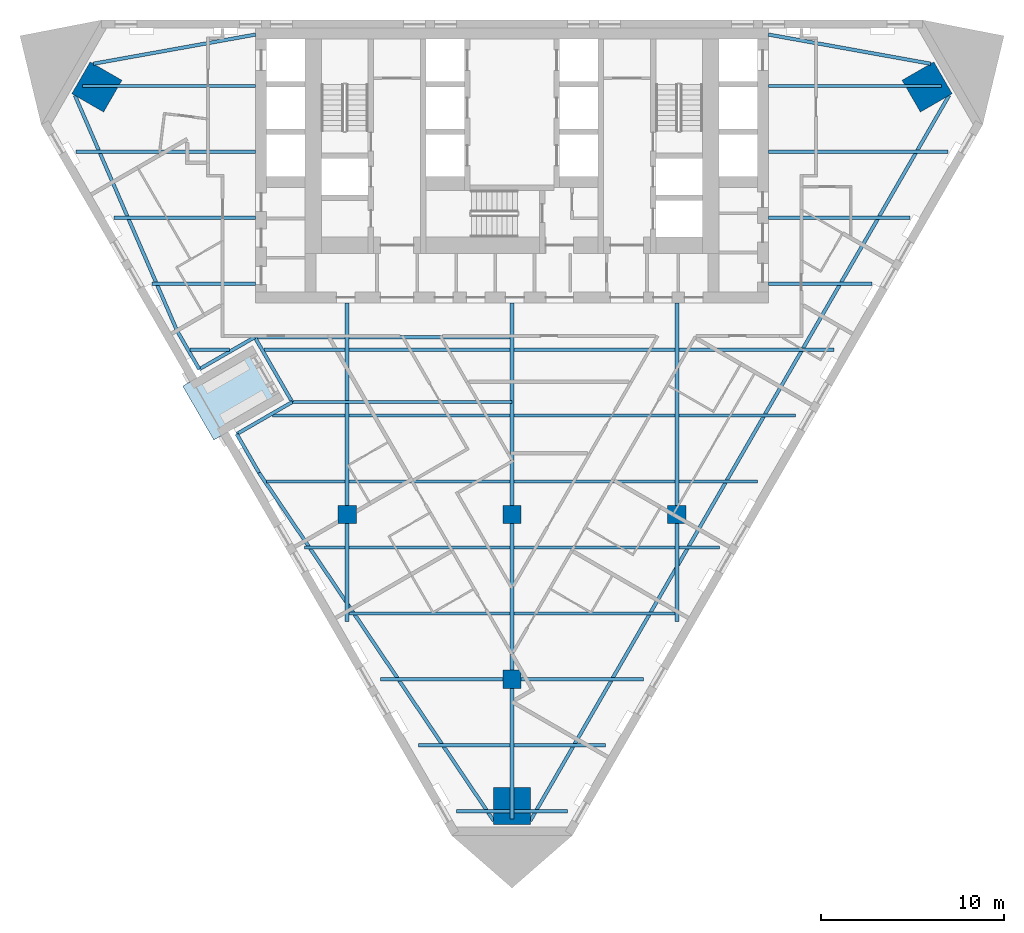
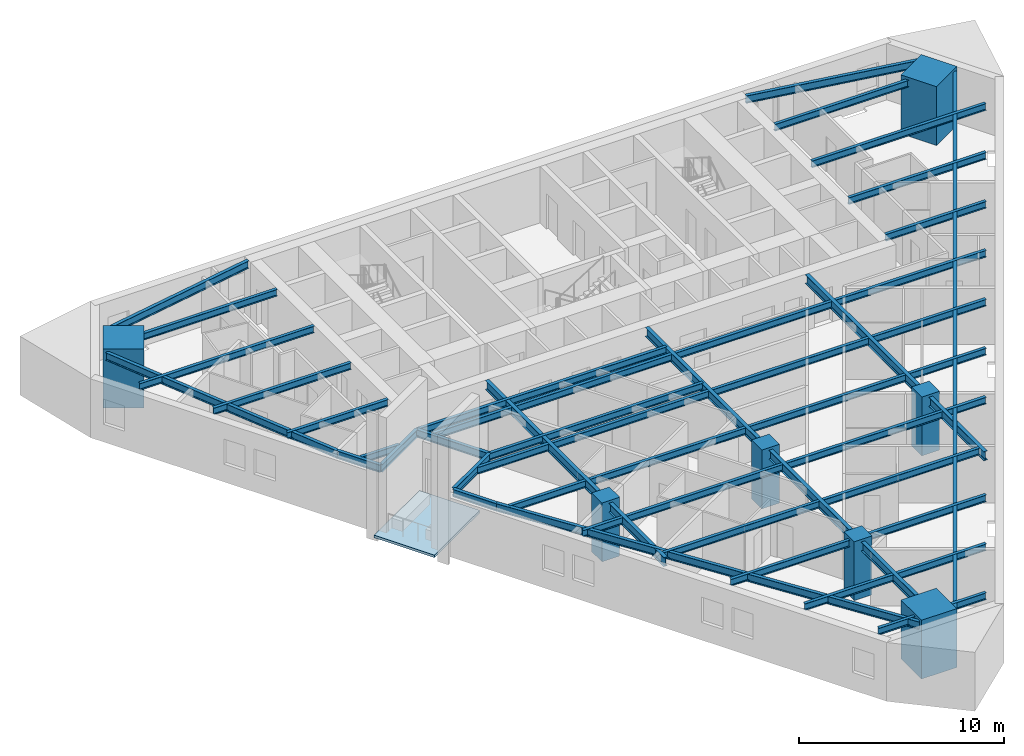
# One storey, part 1 of 9: 52 beams, 7 columns, 1 slab.
"""IFC4 building model written with IfcOpenShell, lengths in metres."""

from ifc_helpers import new_model, si_unit, direction, frame, origin, origin_2d, place, context, subcontext, project, spatial, polyline, rectangle, i_section, outline, extrude, material, layer, layer_set, material_profile, profile_set, type_object, element, save


model = new_model("IFC4")

# Units and contexts
model_context = context("Model", 3, precision=1e-05, world=origin(), true_north=direction((0.0, 1.0)))
body_context = subcontext(model_context, "Body", "Model", "MODEL_VIEW")
ifc_project = project(units=[si_unit("LENGTHUNIT", "METRE"), si_unit("AREAUNIT", "SQUARE_METRE"), si_unit("VOLUMEUNIT", "CUBIC_METRE"), si_unit("PLANEANGLEUNIT", "RADIAN"), si_unit("MASSUNIT", "GRAM", prefix="KILO")], contexts=[model_context])

# Site, building, storey
site_placement = place(None, origin())
site = spatial("IfcSite", under=ifc_project, at=site_placement, CompositionType="ELEMENT")
building_placement = place(site_placement, origin())
building = spatial("IfcBuilding", under=site, at=building_placement, Name="Aloe Facet Convention Tower", CompositionType="ELEMENT")
storey_placement = place(building_placement, frame((0.0, 0.0, 52.5)))
storey = spatial("IfcBuildingStorey", under=building, at=storey_placement, Name="L11", CompositionType="ELEMENT", Elevation=52.5)

# Columns
ifc_material_1 = material(Name="Concrete C70/85", Category="concrete")
ifc_material_profile_1 = material_profile(ifc_material_1, rectangle(XDim=1.0, YDim=1.0, at=origin_2d()), Name="SF-GC-Z1")
ifc_profile_set_1 = profile_set([ifc_material_profile_1], Name="Concrete C70/85")
column_type_1 = type_object("IfcColumnType", Name="SF-GC-Z1", PredefinedType="COLUMN", material=ifc_profile_set_1)
for number, where, z_axis, x_axis, name in (
    (1, (71.0, 108.0, 0.0), (0.0, 0.0, 1.0), (1.0, 0.0, 0.0), "Gravity column GC-Z1-8D"),
    (2, (80.0, 99.0, 0.0), (0.0, 0.0, 1.0), (1.0, 0.0, 0.0), "Gravity column GC-Z1-9E"),
    (3, (80.0, 108.0, 0.0), (0.0, 0.0, 1.0), (1.0, 0.0, 0.0), "Gravity column GC-Z1-9D"),
    (4, (89.0, 108.0, 0.0), (0.0, 0.0, 1.0), (1.0, 0.0, 0.0), "Gravity column GC-Z1-10D"),
):
    element("IfcColumn", number, at=place(storey_placement, frame(where, z_axis=z_axis, x_axis=x_axis)), inside=storey, type_object=column_type_1, Name=name, PredefinedType="COLUMN", context=body_context, shape_type="SweptSolid", body=[
        extrude(rectangle(XDim=1.0, YDim=1.0, at=origin_2d()), origin(), (0.0, 0.0, 1.0), 3.5),
    ])
ifc_material_2 = material(Name="Concrete C80/95", Category="concrete")
ifc_material_profile_2 = material_profile(ifc_material_2, rectangle(XDim=2.0, YDim=2.0, at=origin_2d()), Name="STW-MC-Z1")
ifc_profile_set_2 = profile_set([ifc_material_profile_2], Name="Concrete C80/95")
column_type_2 = type_object("IfcColumnType", Name="STW-MC-Z1", PredefinedType="COLUMN", material=ifc_profile_set_2)
for number, where, z_axis, x_axis, name in (
    (5, (102.664306640625, 131.342041015625, 0.0), (0.0, 0.0, 1.0), (-0.5, 0.866025403784, 0.0), "Mega-column MC-NE-L11"),
    (6, (57.335693359375, 131.342041015625, 0.0), (0.0, 0.0, 1.0), (-0.5, -0.866025403784, 0.0), "Mega-column MC-NW-L11"),
    (7, (80.0, 92.086181640625, 0.0), (0.0, 0.0, 1.0), (1.0, 0.0, 0.0), "Mega-column MC-S-L11"),
):
    element("IfcColumn", number, at=place(storey_placement, frame(where, z_axis=z_axis, x_axis=x_axis)), inside=storey, type_object=column_type_2, Name=name, PredefinedType="COLUMN", context=body_context, shape_type="SweptSolid", body=[
        extrude(rectangle(XDim=2.0, YDim=2.0, at=origin_2d()), origin(), (0.0, 0.0, 1.0), 3.5),
    ])

# Beams
ifc_material_3 = material(Name="Steel S355", Category="steel")
ifc_material_profile_3 = material_profile(ifc_material_3, i_section(OverallWidth=0.177734375, OverallDepth=0.402587890625, WebThickness=0.0078125, FlangeThickness=0.010986328125, FilletRadius=0.01025390625, at=origin_2d()), Name="UB 406x178x54")
ifc_profile_set_3 = profile_set([ifc_material_profile_3], Name="Steel S355")
beam_type_1 = type_object("IfcBeamType", Name="SF-B-UB406x178x54", PredefinedType="BEAM", material=ifc_profile_set_3)
beam_1_placement = place(storey_placement, frame((56.194580078125, 127.800048828125, 3.148681640625), z_axis=(1.0, 0.0, 0.0), x_axis=(0.0, 1.0, 0.0)))
element("IfcBeam", 8, at=beam_1_placement, inside=storey, type_object=beam_type_1, Name="Floor beam FB-Z1F-018", PredefinedType="BEAM", context=body_context, shape_type="SweptSolid", body=[
    extrude(i_section(OverallWidth=0.177734375, OverallDepth=0.402587890625, WebThickness=0.0078125, FlangeThickness=0.010986328125, FilletRadius=0.01025390625, at=origin_2d()), origin(), (0.0, 0.0, 1.0), 9.805419921875),
])
beam_2_placement = place(storey_placement, frame((56.55908203125, 131.39990234375, 3.148681640625), z_axis=(1.0, 0.0, 0.0), x_axis=(0.0, 1.0, 0.0)))
element("IfcBeam", 9, at=beam_2_placement, inside=storey, type_object=beam_type_1, Name="Floor beam FB-Z1F-019", PredefinedType="BEAM", context=body_context, shape_type="SweptSolid", body=[
    extrude(i_section(OverallWidth=0.177734375, OverallDepth=0.402587890625, WebThickness=0.0078125, FlangeThickness=0.010986328125, FilletRadius=0.01025390625, at=origin_2d()), origin(), (0.0, 0.0, 1.0), 9.44091796875),
])
beam_3_placement = place(storey_placement, frame((58.27294921875, 124.199951171875, 3.148681640625), z_axis=(1.0, 0.0, 0.0), x_axis=(0.0, 1.0, 0.0)))
element("IfcBeam", 10, at=beam_3_placement, inside=storey, type_object=beam_type_1, Name="Floor beam FB-Z1F-020", PredefinedType="BEAM", context=body_context, shape_type="SweptSolid", body=[
    extrude(i_section(OverallWidth=0.177734375, OverallDepth=0.402587890625, WebThickness=0.0078125, FlangeThickness=0.010986328125, FilletRadius=0.01025390625, at=origin_2d()), origin(), (0.0, 0.0, 1.0), 7.72705078125),
])
beam_4_placement = place(storey_placement, frame((60.351318359375, 120.60009765625, 3.148681640625), z_axis=(1.0, 0.0, 0.0), x_axis=(0.0, 1.0, 0.0)))
element("IfcBeam", 11, at=beam_4_placement, inside=storey, type_object=beam_type_1, Name="Floor beam FB-Z1F-021", PredefinedType="BEAM", context=body_context, shape_type="SweptSolid", body=[
    extrude(i_section(OverallWidth=0.177734375, OverallDepth=0.402587890625, WebThickness=0.0078125, FlangeThickness=0.010986328125, FilletRadius=0.01025390625, at=origin_2d()), origin(), (0.0, 0.0, 1.0), 5.648681640625),
])
beam_5_placement = place(storey_placement, frame((62.429931640625, 117.0, 3.148681640625), z_axis=(1.0, 0.0, 0.0), x_axis=(0.0, 1.0, 0.0)))
element("IfcBeam", 12, at=beam_5_placement, inside=storey, type_object=beam_type_1, Name="Floor beam FB-Z1F-022", PredefinedType="BEAM", context=body_context, shape_type="SweptSolid", body=[
    extrude(i_section(OverallWidth=0.177734375, OverallDepth=0.402587890625, WebThickness=0.0078125, FlangeThickness=0.010986328125, FilletRadius=0.01025390625, at=origin_2d()), origin(), (0.0, 0.0, 1.0), 2.143310546875),
])
beam_6_placement = place(storey_placement, frame((65.95703125, 117.68359375, 3.148681640625), z_axis=(1.0, 0.0, 0.0), x_axis=(0.0, 1.0, 0.0)))
element("IfcBeam", 13, at=beam_6_placement, inside=storey, type_object=beam_type_1, Name="Floor beam FB-Z1F-023", PredefinedType="BEAM", context=body_context, shape_type="SweptSolid", body=[
    extrude(i_section(OverallWidth=0.177734375, OverallDepth=0.402587890625, WebThickness=0.0078125, FlangeThickness=0.010986328125, FilletRadius=0.01025390625, at=origin_2d()), origin(), (0.0, 0.0, 1.0), 14.04296875),
])
beam_7_placement = place(storey_placement, frame((66.47119140625, 117.0, 3.148681640625), z_axis=(1.0, 0.0, 0.0), x_axis=(0.0, 1.0, 0.0)))
element("IfcBeam", 14, at=beam_7_placement, inside=storey, type_object=beam_type_1, Name="Floor beam FB-Z1F-024", PredefinedType="BEAM", context=body_context, shape_type="SweptSolid", body=[
    extrude(i_section(OverallWidth=0.177734375, OverallDepth=0.402587890625, WebThickness=0.0078125, FlangeThickness=0.010986328125, FilletRadius=0.01025390625, at=origin_2d()), origin(), (0.0, 0.0, 1.0), 4.42333984375),
])
beam_8_placement = place(storey_placement, frame((66.5869140625, 109.800048828125, 3.148681640625), z_axis=(1.0, 0.0, 0.0), x_axis=(0.0, 1.0, 0.0)))
element("IfcBeam", 15, at=beam_8_placement, inside=storey, type_object=beam_type_1, Name="Floor beam FB-Z1F-025", PredefinedType="BEAM", context=body_context, shape_type="SweptSolid", body=[
    extrude(i_section(OverallWidth=0.177734375, OverallDepth=0.402587890625, WebThickness=0.0078125, FlangeThickness=0.010986328125, FilletRadius=0.01025390625, at=origin_2d()), origin(), (0.0, 0.0, 1.0), 4.3076171875),
])
beam_9_placement = place(storey_placement, frame((66.91748046875, 113.39990234375, 3.148681640625), z_axis=(1.0, 0.0, 0.0), x_axis=(0.0, 1.0, 0.0)))
element("IfcBeam", 16, at=beam_9_placement, inside=storey, type_object=beam_type_1, Name="Floor beam FB-Z1F-026", PredefinedType="BEAM", context=body_context, shape_type="SweptSolid", body=[
    extrude(i_section(OverallWidth=0.177734375, OverallDepth=0.402587890625, WebThickness=0.0078125, FlangeThickness=0.010986328125, FilletRadius=0.01025390625, at=origin_2d()), origin(), (0.0, 0.0, 1.0), 3.97705078125),
])
beam_10_placement = place(storey_placement, frame((68.001953125, 114.1416015625, 3.148681640625), z_axis=(1.0, 0.0, 0.0), x_axis=(0.0, 1.0, 0.0)))
element("IfcBeam", 17, at=beam_10_placement, inside=storey, type_object=beam_type_1, Name="Floor beam FB-Z1F-027", PredefinedType="BEAM", context=body_context, shape_type="SweptSolid", body=[
    extrude(i_section(OverallWidth=0.177734375, OverallDepth=0.402587890625, WebThickness=0.0078125, FlangeThickness=0.010986328125, FilletRadius=0.01025390625, at=origin_2d()), origin(), (0.0, 0.0, 1.0), 11.998046875),
])
beam_11_placement = place(storey_placement, frame((68.665283203125, 106.199951171875, 3.148681640625), z_axis=(1.0, 0.0, 0.0), x_axis=(0.0, 1.0, 0.0)))
element("IfcBeam", 18, at=beam_11_placement, inside=storey, type_object=beam_type_1, Name="Floor beam FB-Z1F-028", PredefinedType="BEAM", context=body_context, shape_type="SweptSolid", body=[
    extrude(i_section(OverallWidth=0.177734375, OverallDepth=0.402587890625, WebThickness=0.0078125, FlangeThickness=0.010986328125, FilletRadius=0.01025390625, at=origin_2d()), origin(), (0.0, 0.0, 1.0), 2.229248046875),
])
for number, where, z_axis, x_axis, name in (
    (19, (71.10546875, 102.60009765625, 3.148681640625), (1.0, 0.0, 0.0), (0.0, 1.0, 0.0), "Floor beam FB-Z1F-029"),
    (20, (71.10546875, 106.199951171875, 3.148681640625), (1.0, 0.0, 0.0), (0.0, 1.0, 0.0), "Floor beam FB-Z1F-030"),
    (21, (71.10546875, 109.800048828125, 3.148681640625), (1.0, 0.0, 0.0), (0.0, 1.0, 0.0), "Floor beam FB-Z1F-031"),
    (22, (71.10546875, 113.39990234375, 3.148681640625), (1.0, 0.0, 0.0), (0.0, 1.0, 0.0), "Floor beam FB-Z1F-032"),
    (23, (71.10546875, 117.0, 3.148681640625), (1.0, 0.0, 0.0), (0.0, 1.0, 0.0), "Floor beam FB-Z1F-033"),
):
    element("IfcBeam", number, at=place(storey_placement, frame(where, z_axis=z_axis, x_axis=x_axis)), inside=storey, type_object=beam_type_1, Name=name, PredefinedType="BEAM", context=body_context, shape_type="SweptSolid", body=[
        extrude(i_section(OverallWidth=0.177734375, OverallDepth=0.402587890625, WebThickness=0.0078125, FlangeThickness=0.010986328125, FilletRadius=0.01025390625, at=origin_2d()), origin(), (0.0, 0.0, 1.0), 8.7890625),
    ])
beam_12_placement = place(storey_placement, frame((72.822265625, 99.0, 3.148681640625), z_axis=(1.0, 0.0, 0.0), x_axis=(0.0, 1.0, 0.0)))
element("IfcBeam", 24, at=beam_12_placement, inside=storey, type_object=beam_type_1, Name="Floor beam FB-Z1F-034", PredefinedType="BEAM", context=body_context, shape_type="SweptSolid", body=[
    extrude(i_section(OverallWidth=0.177734375, OverallDepth=0.402587890625, WebThickness=0.0078125, FlangeThickness=0.010986328125, FilletRadius=0.01025390625, at=origin_2d()), origin(), (0.0, 0.0, 1.0), 6.677734375),
])
beam_13_placement = place(storey_placement, frame((74.900634765625, 95.39990234375, 3.148681640625), z_axis=(1.0, 0.0, 0.0), x_axis=(0.0, 1.0, 0.0)))
element("IfcBeam", 25, at=beam_13_placement, inside=storey, type_object=beam_type_1, Name="Floor beam FB-Z1F-035", PredefinedType="BEAM", context=body_context, shape_type="SweptSolid", body=[
    extrude(i_section(OverallWidth=0.177734375, OverallDepth=0.402587890625, WebThickness=0.0078125, FlangeThickness=0.010986328125, FilletRadius=0.01025390625, at=origin_2d()), origin(), (0.0, 0.0, 1.0), 4.993896484375),
])
for number, where, z_axis, x_axis, name in (
    (26, (76.97900390625, 91.800048828125, 3.148681640625), (1.0, 0.0, 0.0), (0.0, 1.0, 0.0), "Floor beam FB-Z1F-036"),
    (27, (80.10546875, 91.800048828125, 3.148681640625), (1.0, 0.0, 0.0), (0.0, 1.0, 0.0), "Floor beam FB-Z1F-037"),
):
    element("IfcBeam", number, at=place(storey_placement, frame(where, z_axis=z_axis, x_axis=x_axis)), inside=storey, type_object=beam_type_1, Name=name, PredefinedType="BEAM", context=body_context, shape_type="SweptSolid", body=[
        extrude(i_section(OverallWidth=0.177734375, OverallDepth=0.402587890625, WebThickness=0.0078125, FlangeThickness=0.010986328125, FilletRadius=0.01025390625, at=origin_2d()), origin(), (0.0, 0.0, 1.0), 2.91552734375),
    ])
beam_14_placement = place(storey_placement, frame((80.10546875, 95.39990234375, 3.148681640625), z_axis=(1.0, 0.0, 0.0), x_axis=(0.0, 1.0, 0.0)))
element("IfcBeam", 28, at=beam_14_placement, inside=storey, type_object=beam_type_1, Name="Floor beam FB-Z1F-038", PredefinedType="BEAM", context=body_context, shape_type="SweptSolid", body=[
    extrude(i_section(OverallWidth=0.177734375, OverallDepth=0.402587890625, WebThickness=0.0078125, FlangeThickness=0.010986328125, FilletRadius=0.01025390625, at=origin_2d()), origin(), (0.0, 0.0, 1.0), 4.993896484375),
])
for number, where, z_axis, x_axis, name in (
    (29, (80.10546875, 102.60009765625, 3.148681640625), (1.0, 0.0, 0.0), (0.0, 1.0, 0.0), "Floor beam FB-Z1F-039"),
    (30, (80.10546875, 106.199951171875, 3.148681640625), (1.0, 0.0, 0.0), (0.0, 1.0, 0.0), "Floor beam FB-Z1F-040"),
    (31, (80.10546875, 109.800048828125, 3.148681640625), (1.0, 0.0, 0.0), (0.0, 1.0, 0.0), "Floor beam FB-Z1F-041"),
    (32, (80.10546875, 113.39990234375, 3.148681640625), (1.0, 0.0, 0.0), (0.0, 1.0, 0.0), "Floor beam FB-Z1F-042"),
    (33, (80.10546875, 117.0, 3.148681640625), (1.0, 0.0, 0.0), (0.0, 1.0, 0.0), "Floor beam FB-Z1F-043"),
):
    element("IfcBeam", number, at=place(storey_placement, frame(where, z_axis=z_axis, x_axis=x_axis)), inside=storey, type_object=beam_type_1, Name=name, PredefinedType="BEAM", context=body_context, shape_type="SweptSolid", body=[
        extrude(i_section(OverallWidth=0.177734375, OverallDepth=0.402587890625, WebThickness=0.0078125, FlangeThickness=0.010986328125, FilletRadius=0.01025390625, at=origin_2d()), origin(), (0.0, 0.0, 1.0), 8.7890625),
    ])
beam_15_placement = place(storey_placement, frame((80.5, 99.0, 3.148681640625), z_axis=(1.0, 0.0, 0.0), x_axis=(0.0, 1.0, 0.0)))
element("IfcBeam", 34, at=beam_15_placement, inside=storey, type_object=beam_type_1, Name="Floor beam FB-Z1F-044", PredefinedType="BEAM", context=body_context, shape_type="SweptSolid", body=[
    extrude(i_section(OverallWidth=0.177734375, OverallDepth=0.402587890625, WebThickness=0.0078125, FlangeThickness=0.010986328125, FilletRadius=0.01025390625, at=origin_2d()), origin(), (0.0, 0.0, 1.0), 6.677734375),
])
beam_16_placement = place(storey_placement, frame((89.10546875, 106.199951171875, 3.148681640625), z_axis=(1.0, 0.0, 0.0), x_axis=(0.0, 1.0, 0.0)))
element("IfcBeam", 35, at=beam_16_placement, inside=storey, type_object=beam_type_1, Name="Floor beam FB-Z1F-045", PredefinedType="BEAM", context=body_context, shape_type="SweptSolid", body=[
    extrude(i_section(OverallWidth=0.177734375, OverallDepth=0.402587890625, WebThickness=0.0078125, FlangeThickness=0.010986328125, FilletRadius=0.01025390625, at=origin_2d()), origin(), (0.0, 0.0, 1.0), 2.229248046875),
])
beam_17_placement = place(storey_placement, frame((89.10546875, 109.800048828125, 3.148681640625), z_axis=(1.0, 0.0, 0.0), x_axis=(0.0, 1.0, 0.0)))
element("IfcBeam", 36, at=beam_17_placement, inside=storey, type_object=beam_type_1, Name="Floor beam FB-Z1F-046", PredefinedType="BEAM", context=body_context, shape_type="SweptSolid", body=[
    extrude(i_section(OverallWidth=0.177734375, OverallDepth=0.402587890625, WebThickness=0.0078125, FlangeThickness=0.010986328125, FilletRadius=0.01025390625, at=origin_2d()), origin(), (0.0, 0.0, 1.0), 4.3076171875),
])
beam_18_placement = place(storey_placement, frame((89.10546875, 113.39990234375, 3.148681640625), z_axis=(1.0, 0.0, 0.0), x_axis=(0.0, 1.0, 0.0)))
element("IfcBeam", 37, at=beam_18_placement, inside=storey, type_object=beam_type_1, Name="Floor beam FB-Z1F-047", PredefinedType="BEAM", context=body_context, shape_type="SweptSolid", body=[
    extrude(i_section(OverallWidth=0.177734375, OverallDepth=0.402587890625, WebThickness=0.0078125, FlangeThickness=0.010986328125, FilletRadius=0.01025390625, at=origin_2d()), origin(), (0.0, 0.0, 1.0), 6.38623046875),
])
beam_19_placement = place(storey_placement, frame((89.10546875, 117.0, 3.148681640625), z_axis=(1.0, 0.0, 0.0), x_axis=(0.0, 1.0, 0.0)))
element("IfcBeam", 38, at=beam_19_placement, inside=storey, type_object=beam_type_1, Name="Floor beam FB-Z1F-048", PredefinedType="BEAM", context=body_context, shape_type="SweptSolid", body=[
    extrude(i_section(OverallWidth=0.177734375, OverallDepth=0.402587890625, WebThickness=0.0078125, FlangeThickness=0.010986328125, FilletRadius=0.01025390625, at=origin_2d()), origin(), (0.0, 0.0, 1.0), 8.464599609375),
])
beam_20_placement = place(storey_placement, frame((94.0, 120.60009765625, 3.148681640625), z_axis=(1.0, 0.0, 0.0), x_axis=(0.0, 1.0, 0.0)))
element("IfcBeam", 39, at=beam_20_placement, inside=storey, type_object=beam_type_1, Name="Floor beam FB-Z1F-049", PredefinedType="BEAM", context=body_context, shape_type="SweptSolid", body=[
    extrude(i_section(OverallWidth=0.177734375, OverallDepth=0.402587890625, WebThickness=0.0078125, FlangeThickness=0.010986328125, FilletRadius=0.01025390625, at=origin_2d()), origin(), (0.0, 0.0, 1.0), 5.648681640625),
])
beam_21_placement = place(storey_placement, frame((94.0, 124.199951171875, 3.148681640625), z_axis=(1.0, 0.0, 0.0), x_axis=(0.0, 1.0, 0.0)))
element("IfcBeam", 40, at=beam_21_placement, inside=storey, type_object=beam_type_1, Name="Floor beam FB-Z1F-050", PredefinedType="BEAM", context=body_context, shape_type="SweptSolid", body=[
    extrude(i_section(OverallWidth=0.177734375, OverallDepth=0.402587890625, WebThickness=0.0078125, FlangeThickness=0.010986328125, FilletRadius=0.01025390625, at=origin_2d()), origin(), (0.0, 0.0, 1.0), 7.72705078125),
])
beam_22_placement = place(storey_placement, frame((94.0, 127.800048828125, 3.148681640625), z_axis=(1.0, 0.0, 0.0), x_axis=(0.0, 1.0, 0.0)))
element("IfcBeam", 41, at=beam_22_placement, inside=storey, type_object=beam_type_1, Name="Floor beam FB-Z1F-051", PredefinedType="BEAM", context=body_context, shape_type="SweptSolid", body=[
    extrude(i_section(OverallWidth=0.177734375, OverallDepth=0.402587890625, WebThickness=0.0078125, FlangeThickness=0.010986328125, FilletRadius=0.01025390625, at=origin_2d()), origin(), (0.0, 0.0, 1.0), 9.805419921875),
])
beam_23_placement = place(storey_placement, frame((94.0, 131.39990234375, 3.148681640625), z_axis=(1.0, 0.0, 0.0), x_axis=(0.0, 1.0, 0.0)))
element("IfcBeam", 42, at=beam_23_placement, inside=storey, type_object=beam_type_1, Name="Floor beam FB-Z1F-052", PredefinedType="BEAM", context=body_context, shape_type="SweptSolid", body=[
    extrude(i_section(OverallWidth=0.177734375, OverallDepth=0.402587890625, WebThickness=0.0078125, FlangeThickness=0.010986328125, FilletRadius=0.01025390625, at=origin_2d()), origin(), (0.0, 0.0, 1.0), 9.44091796875),
])
ifc_material_4 = material(Name="Steel S355", Category="steel")
ifc_material_profile_4 = material_profile(ifc_material_4, i_section(OverallWidth=0.18994140625, OverallDepth=0.453369140625, WebThickness=0.008544921875, FlangeThickness=0.0126953125, FilletRadius=0.01025390625, at=origin_2d()), Name="UB 457x191x67")
ifc_profile_set_4 = profile_set([ifc_material_profile_4], Name="Steel S355")
beam_type_2 = type_object("IfcBeamType", Name="SF-B-UB457x191x67", PredefinedType="BEAM", material=ifc_profile_set_4)
beam_24_placement = place(storey_placement, frame((61.70849609375, 118.042236328125, 3.123291015625), z_axis=(-0.398065692064, 0.91735691244, 0.0), x_axis=(-0.91735691244, -0.398065692064, 0.0)))
element("IfcBeam", 43, at=beam_24_placement, inside=storey, type_object=beam_type_2, Name="Floor beam FB-Z1F-001", PredefinedType="BEAM", context=body_context, shape_type="SweptSolid", body=[
    extrude(i_section(OverallWidth=0.18994140625, OverallDepth=0.453369140625, WebThickness=0.008544921875, FlangeThickness=0.0126953125, FilletRadius=0.01025390625, at=origin_2d()), origin(), (0.0, 0.0, 1.0), 13.992919921875),
])
beam_25_placement = place(storey_placement, frame((62.926025390625, 115.93359375, 3.123291015625), z_axis=(-0.500032014317, 0.866006919521, 0.0), x_axis=(-0.866006919521, -0.500032014317, 0.0)))
element("IfcBeam", 44, at=beam_25_placement, inside=storey, type_object=beam_type_2, Name="Floor beam FB-Z1F-002", PredefinedType="BEAM", context=body_context, shape_type="SweptSolid", body=[
    extrude(i_section(OverallWidth=0.18994140625, OverallDepth=0.453369140625, WebThickness=0.008544921875, FlangeThickness=0.0126953125, FilletRadius=0.01025390625, at=origin_2d()), origin(), (0.0, 0.0, 1.0), 2.434814453125),
])
for number, where, z_axis, x_axis, name in (
    (45, (64.970947265625, 112.3916015625, 3.123291015625), (0.866019471182, 0.500010275428, 0.0), (-0.500010275428, 0.866019471182, 0.0), "Floor beam FB-Z1F-003"),
    (46, (65.95703125, 117.68359375, 3.123291015625), (-0.866019471182, -0.500010275428, 0.0), (0.500010275428, -0.866019471182, 0.0), "Floor beam FB-Z1F-004"),
):
    element("IfcBeam", number, at=place(storey_placement, frame(where, z_axis=z_axis, x_axis=x_axis)), inside=storey, type_object=beam_type_2, Name=name, PredefinedType="BEAM", context=body_context, shape_type="SweptSolid", body=[
        extrude(i_section(OverallWidth=0.18994140625, OverallDepth=0.453369140625, WebThickness=0.008544921875, FlangeThickness=0.0126953125, FilletRadius=0.01025390625, at=origin_2d()), origin(), (0.0, 0.0, 1.0), 3.5),
    ])
beam_26_placement = place(storey_placement, frame((66.0, 134.205078125, 3.123291015625), z_axis=(-0.984194951593, -0.177088388265, 0.0), x_axis=(0.177088388265, -0.984194951593, 0.0)))
element("IfcBeam", 47, at=beam_26_placement, inside=storey, type_object=beam_type_2, Name="Floor beam FB-Z1F-005", PredefinedType="BEAM", context=body_context, shape_type="SweptSolid", body=[
    extrude(i_section(OverallWidth=0.18994140625, OverallDepth=0.453369140625, WebThickness=0.008544921875, FlangeThickness=0.0126953125, FilletRadius=0.01025390625, at=origin_2d()), origin(), (0.0, 0.0, 1.0), 9.00390625),
])
beam_27_placement = place(storey_placement, frame((66.1884765625, 110.28271484375, 3.123291015625), z_axis=(-0.499988598678, 0.866031986241, 0.0), x_axis=(-0.866031986241, -0.499988598678, 0.0)))
element("IfcBeam", 48, at=beam_27_placement, inside=storey, type_object=beam_type_2, Name="Floor beam FB-Z1F-006", PredefinedType="BEAM", context=body_context, shape_type="SweptSolid", body=[
    extrude(i_section(OverallWidth=0.18994140625, OverallDepth=0.453369140625, WebThickness=0.008544921875, FlangeThickness=0.0126953125, FilletRadius=0.01025390625, at=origin_2d()), origin(), (0.0, 0.0, 1.0), 2.43505859375),
])
beam_28_placement = place(storey_placement, frame((66.1884765625, 110.28271484375, 3.123291015625), z_axis=(0.55903914741, -0.829141261585, 0.0), x_axis=(0.829141261585, 0.55903914741, 0.0)))
element("IfcBeam", 49, at=beam_28_placement, inside=storey, type_object=beam_type_2, Name="Floor beam FB-Z1F-007", PredefinedType="BEAM", context=body_context, shape_type="SweptSolid", body=[
    extrude(i_section(OverallWidth=0.18994140625, OverallDepth=0.453369140625, WebThickness=0.008544921875, FlangeThickness=0.0126953125, FilletRadius=0.01025390625, at=origin_2d()), origin(), (0.0, 0.0, 1.0), 22.9169921875),
])
beam_29_placement = place(storey_placement, frame((68.001953125, 114.1416015625, 3.123291015625), z_axis=(-0.499991148707, 0.866030514021, 0.0), x_axis=(-0.866030514021, -0.499991148707, 0.0)))
element("IfcBeam", 50, at=beam_29_placement, inside=storey, type_object=beam_type_2, Name="Floor beam FB-Z1F-008", PredefinedType="BEAM", context=body_context, shape_type="SweptSolid", body=[
    extrude(i_section(OverallWidth=0.18994140625, OverallDepth=0.453369140625, WebThickness=0.008544921875, FlangeThickness=0.0126953125, FilletRadius=0.01025390625, at=origin_2d()), origin(), (0.0, 0.0, 1.0), 4.08984375),
])
beam_30_placement = place(storey_placement, frame((94.0, 134.205078125, 3.123291015625), z_axis=(0.984194951593, -0.177088388265, 0.0), x_axis=(0.177088388265, 0.984194951593, 0.0)))
element("IfcBeam", 51, at=beam_30_placement, inside=storey, type_object=beam_type_2, Name="Floor beam FB-Z1F-009", PredefinedType="BEAM", context=body_context, shape_type="SweptSolid", body=[
    extrude(i_section(OverallWidth=0.18994140625, OverallDepth=0.453369140625, WebThickness=0.008544921875, FlangeThickness=0.0126953125, FilletRadius=0.01025390625, at=origin_2d()), origin(), (0.0, 0.0, 1.0), 9.00390625),
])
beam_31_placement = place(storey_placement, frame((103.861572265625, 130.878662109375, 3.123291015625), z_axis=(-0.499999929878, -0.866025444269, 0.0), x_axis=(0.866025444269, -0.499999929878, 0.0)))
element("IfcBeam", 52, at=beam_31_placement, inside=storey, type_object=beam_type_2, Name="Floor beam FB-Z1F-010", PredefinedType="BEAM", context=body_context, shape_type="SweptSolid", body=[
    extrude(i_section(OverallWidth=0.18994140625, OverallDepth=0.453369140625, WebThickness=0.008544921875, FlangeThickness=0.0126953125, FilletRadius=0.01025390625, at=origin_2d()), origin(), (0.0, 0.0, 1.0), 45.72314453125),
])
ifc_material_5 = material(Name="Steel S355", Category="steel")
ifc_material_profile_5 = material_profile(ifc_material_5, i_section(OverallWidth=0.210693359375, OverallDepth=0.53955078125, WebThickness=0.01171875, FlangeThickness=0.018798828125, FilletRadius=0.0126953125, at=origin_2d()), Name="UB 533x210x109")
ifc_profile_set_5 = profile_set([ifc_material_profile_5], Name="Steel S355")
beam_type_3 = type_object("IfcBeamType", Name="SF-B-UB533x210x109", PredefinedType="BEAM", material=ifc_profile_set_5)
beam_32_placement = place(storey_placement, frame((71.0, 107.5, 3.080078125), z_axis=(0.0, -1.0, 0.0), x_axis=(1.0, 0.0, 0.0)))
element("IfcBeam", 53, at=beam_32_placement, inside=storey, type_object=beam_type_3, Name="Floor beam FB-Z1F-011", PredefinedType="BEAM", context=body_context, shape_type="SweptSolid", body=[
    extrude(i_section(OverallWidth=0.210693359375, OverallDepth=0.53955078125, WebThickness=0.01171875, FlangeThickness=0.018798828125, FilletRadius=0.0126953125, at=origin_2d()), origin(), (0.0, 0.0, 1.0), 5.351318359375),
])
beam_33_placement = place(storey_placement, frame((71.0, 119.550048828125, 3.080078125), z_axis=(0.0, -1.0, 0.0), x_axis=(1.0, 0.0, 0.0)))
element("IfcBeam", 54, at=beam_33_placement, inside=storey, type_object=beam_type_3, Name="Floor beam FB-Z1F-012", PredefinedType="BEAM", context=body_context, shape_type="SweptSolid", body=[
    extrude(i_section(OverallWidth=0.210693359375, OverallDepth=0.53955078125, WebThickness=0.01171875, FlangeThickness=0.018798828125, FilletRadius=0.0126953125, at=origin_2d()), origin(), (0.0, 0.0, 1.0), 11.050048828125),
])
beam_34_placement = place(storey_placement, frame((80.0, 98.5, 3.080078125), z_axis=(0.0, -1.0, 0.0), x_axis=(1.0, 0.0, 0.0)))
element("IfcBeam", 55, at=beam_34_placement, inside=storey, type_object=beam_type_3, Name="Floor beam FB-Z1F-013", PredefinedType="BEAM", context=body_context, shape_type="SweptSolid", body=[
    extrude(i_section(OverallWidth=0.210693359375, OverallDepth=0.53955078125, WebThickness=0.01171875, FlangeThickness=0.018798828125, FilletRadius=0.0126953125, at=origin_2d()), origin(), (0.0, 0.0, 1.0), 7.11376953125),
])
beam_35_placement = place(storey_placement, frame((80.0, 107.5, 3.080078125), z_axis=(0.0, -1.0, 0.0), x_axis=(1.0, 0.0, 0.0)))
element("IfcBeam", 56, at=beam_35_placement, inside=storey, type_object=beam_type_3, Name="Floor beam FB-Z1F-014", PredefinedType="BEAM", context=body_context, shape_type="SweptSolid", body=[
    extrude(i_section(OverallWidth=0.210693359375, OverallDepth=0.53955078125, WebThickness=0.01171875, FlangeThickness=0.018798828125, FilletRadius=0.0126953125, at=origin_2d()), origin(), (0.0, 0.0, 1.0), 8.0),
])
beam_36_placement = place(storey_placement, frame((80.0, 119.550048828125, 3.080078125), z_axis=(0.0, -1.0, 0.0), x_axis=(1.0, 0.0, 0.0)))
element("IfcBeam", 57, at=beam_36_placement, inside=storey, type_object=beam_type_3, Name="Floor beam FB-Z1F-015", PredefinedType="BEAM", context=body_context, shape_type="SweptSolid", body=[
    extrude(i_section(OverallWidth=0.210693359375, OverallDepth=0.53955078125, WebThickness=0.01171875, FlangeThickness=0.018798828125, FilletRadius=0.0126953125, at=origin_2d()), origin(), (0.0, 0.0, 1.0), 11.050048828125),
])
beam_37_placement = place(storey_placement, frame((89.0, 107.5, 3.080078125), z_axis=(0.0, -1.0, 0.0), x_axis=(1.0, 0.0, 0.0)))
element("IfcBeam", 58, at=beam_37_placement, inside=storey, type_object=beam_type_3, Name="Floor beam FB-Z1F-016", PredefinedType="BEAM", context=body_context, shape_type="SweptSolid", body=[
    extrude(i_section(OverallWidth=0.210693359375, OverallDepth=0.53955078125, WebThickness=0.01171875, FlangeThickness=0.018798828125, FilletRadius=0.0126953125, at=origin_2d()), origin(), (0.0, 0.0, 1.0), 5.351318359375),
])
beam_38_placement = place(storey_placement, frame((89.0, 119.550048828125, 3.080078125), z_axis=(0.0, -1.0, 0.0), x_axis=(1.0, 0.0, 0.0)))
element("IfcBeam", 59, at=beam_38_placement, inside=storey, type_object=beam_type_3, Name="Floor beam FB-Z1F-017", PredefinedType="BEAM", context=body_context, shape_type="SweptSolid", body=[
    extrude(i_section(OverallWidth=0.210693359375, OverallDepth=0.53955078125, WebThickness=0.01171875, FlangeThickness=0.018798828125, FilletRadius=0.0126953125, at=origin_2d()), origin(), (0.0, 0.0, 1.0), 11.050048828125),
])

# Slab
ifc_material_6 = material(Name="Concrete C35/45", Category="concrete")
ifc_layer = layer(ifc_material_6, 0.14990234375)
ifc_layer_set = layer_set([ifc_layer], Name="SF-TS-150")
slab_type = type_object("IfcSlabType", Name="SF-TS-150", PredefinedType="FLOOR", material=ifc_layer_set)
slab_placement = place(storey_placement, frame((0.0, 0.0, -0.14990234375)))
element("IfcSlab", 60, at=slab_placement, inside=storey, type_object=slab_type, Name="Terrace slab T02", PredefinedType="FLOOR", context=body_context, shape_type="SweptSolid", body=[
    extrude(outline(polyline([(62.020263671875, 115.01220703125), (65.830810546875, 117.21240234375), (67.53076171875, 114.267822265625), (63.72021484375, 112.06787109375), (62.020263671875, 115.01220703125)])), origin(), (0.0, 0.0, 1.0), 0.14990234375),
])

save(model, "model.ifc")
